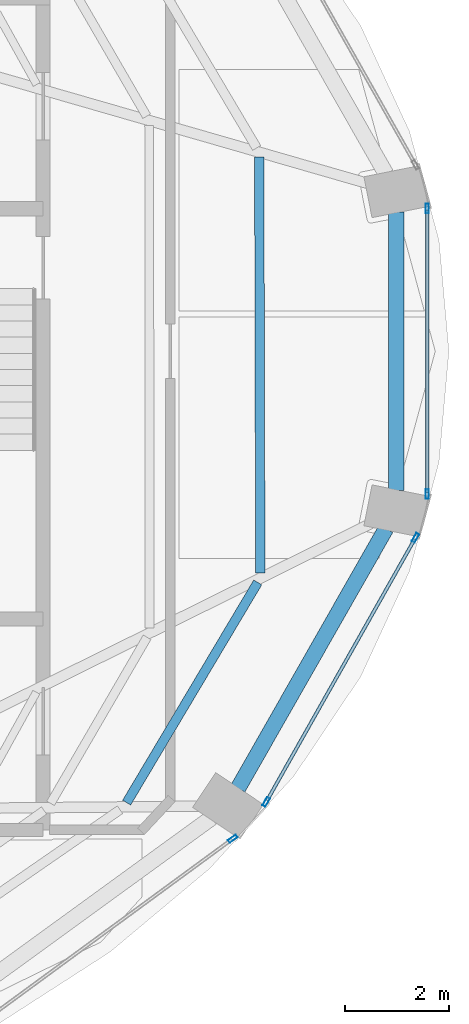
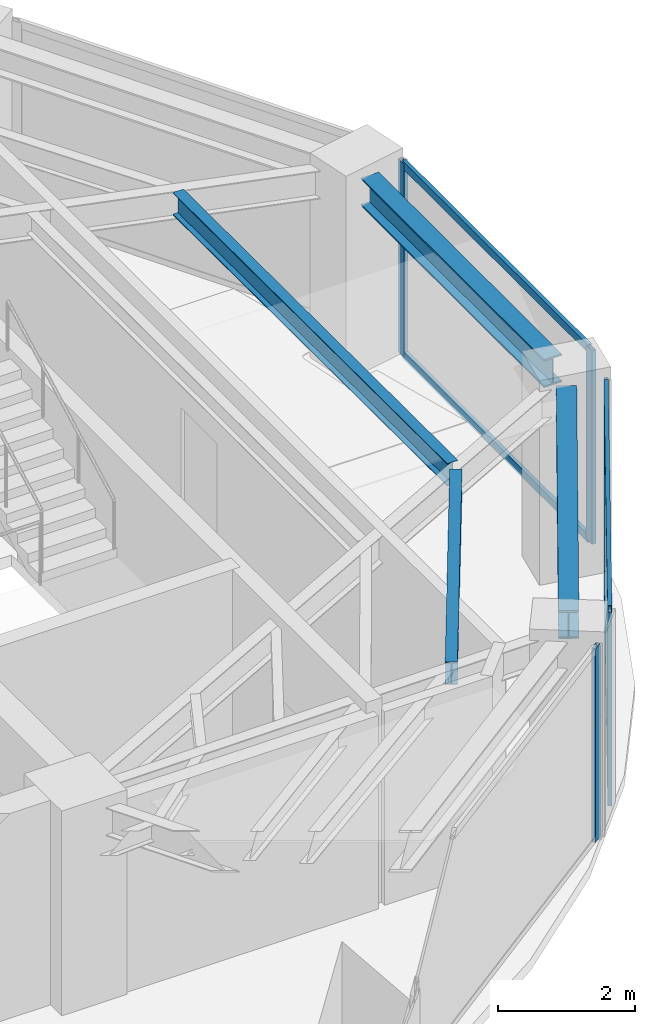
# One storey, part 5 of 13: 9 members, 4 beams, 3 elements without a shape of their own.
"""IFC4 building model written with IfcOpenShell, lengths in metres."""

from ifc_helpers import new_model, si_unit, direction, frame, origin, origin_2d, place, context, subcontext, project, spatial, hollow_rectangle, i_section, extrude, material, layer, layer_set, material_profile, profile_set, type_object, element, aggregate, save


model = new_model("IFC4")

# Units and contexts
model_context = context("Model", 3, precision=1e-05, world=origin(), true_north=direction((0.0, 1.0)))
body_context = subcontext(model_context, "Body", "Model", "MODEL_VIEW")
ifc_project = project(units=[si_unit("LENGTHUNIT", "METRE"), si_unit("AREAUNIT", "SQUARE_METRE"), si_unit("VOLUMEUNIT", "CUBIC_METRE"), si_unit("PLANEANGLEUNIT", "RADIAN"), si_unit("MASSUNIT", "GRAM", prefix="KILO")], contexts=[model_context])

# Site, building, storey
site_placement = place(None, origin())
site = spatial("IfcSite", under=ifc_project, at=site_placement, CompositionType="ELEMENT")
building_placement = place(site_placement, origin())
building = spatial("IfcBuilding", under=site, at=building_placement, Name="Lazwardi Medical Tower", CompositionType="ELEMENT")
storey_placement = place(building_placement, frame((0.0, 0.0, 295.152099609375)))
storey = spatial("IfcBuildingStorey", under=building, at=storey_placement, Name="L77", CompositionType="ELEMENT", Elevation=295.152099609375)

# Beams
ifc_material_1 = material(Name="Steel S355", Category="steel")
ifc_material_profile_1 = material_profile(ifc_material_1, i_section(OverallWidth=0.300048828125, OverallDepth=0.5, WebThickness=0.014404296875, FlangeThickness=0.028076171875, at=origin_2d()), Name="HEB 500")
ifc_profile_set_1 = profile_set([ifc_material_profile_1], Name="Steel S355")
beam_type_1 = type_object("IfcBeamType", Name="BM-RB-Z4", PredefinedType="BEAM", material=ifc_profile_set_1)
beam_1_placement = place(storey_placement, frame((54.15283203125, 20.81640625, 3.197998046875), z_axis=(0.495125273299, 0.868821594886, 0.0), x_axis=(-0.868821594886, 0.495125273299, 0.0)))
element("IfcBeam", 1, at=beam_1_placement, inside=storey, type_object=beam_type_1, Name="Ring beam RB-05 B03 L77", PredefinedType="BEAM", context=body_context, shape_type="SweptSolid", body=[
    extrude(i_section(OverallWidth=0.300048828125, OverallDepth=0.5, WebThickness=0.014404296875, FlangeThickness=0.028076171875, at=origin_2d()), origin(), (0.0, 0.0, 1.0), 5.734130859375),
])
beam_2_placement = place(storey_placement, frame((57.18505859375, 26.527099609375, 3.197998046875), z_axis=(0.0, 1.0, 0.0), x_axis=(-1.0, 0.0, 0.0)))
element("IfcBeam", 2, at=beam_2_placement, inside=storey, type_object=beam_type_1, Name="Ring beam RB-05 B04 L77", PredefinedType="BEAM", context=body_context, shape_type="SweptSolid", body=[
    extrude(i_section(OverallWidth=0.300048828125, OverallDepth=0.5, WebThickness=0.014404296875, FlangeThickness=0.028076171875, at=origin_2d()), origin(), (0.0, 0.0, 1.0), 5.345703125),
])
ifc_material_profile_2 = material_profile(ifc_material_1, i_section(OverallWidth=0.179931640625, OverallDepth=0.39990234375, WebThickness=0.008544921875, FlangeThickness=0.013427734375, at=origin_2d()), Name="IPE 400")
ifc_profile_set_2 = profile_set([ifc_material_profile_2], Name="Steel S355")
beam_type_2 = type_object("IfcBeamType", Name="BM-SJ-01", PredefinedType="JOIST", material=ifc_profile_set_2)
beam_3_placement = place(storey_placement, frame((52.015380859375, 20.54052734375, 3.247802734375), z_axis=(0.511696806688, 0.859166094551, 0.0), x_axis=(-0.859166094551, 0.511696806688, 0.0)))
element("IfcBeam", 3, at=beam_3_placement, inside=storey, type_object=beam_type_2, Name="Secondary joist SJ-01 R1 B03 L77", PredefinedType="JOIST", context=body_context, shape_type="SweptSolid", body=[
    extrude(i_section(OverallWidth=0.179931640625, OverallDepth=0.39990234375, WebThickness=0.008544921875, FlangeThickness=0.013427734375, at=origin_2d()), origin(), (0.0, 0.0, 1.0), 4.917724609375),
])
beam_4_placement = place(storey_placement, frame((54.580078125, 24.942138671875, 3.247802734375), z_axis=(-0.002538606287, 0.999996777734, 0.0), x_axis=(-0.999996777734, -0.002538606287, 0.0)))
element("IfcBeam", 4, at=beam_4_placement, inside=storey, type_object=beam_type_2, Name="Secondary joist SJ-01 R1 B04 L77", PredefinedType="JOIST", context=body_context, shape_type="SweptSolid", body=[
    extrude(i_section(OverallWidth=0.179931640625, OverallDepth=0.39990234375, WebThickness=0.008544921875, FlangeThickness=0.013427734375, at=origin_2d()), origin(), (0.0, 0.0, 1.0), 7.982177734375),
])

# Curtain wall, member
ifc_material_2 = material(Name="Anodised bronze aluminium and solar control glazing", Category="aluminium")
ifc_layer = layer(ifc_material_2, 0.18994140625)
ifc_layer_set = layer_set([ifc_layer], Name="Anodised bronze aluminium and solar control glazing")
curtain_wall_type = type_object("IfcCurtainWallType", Name="CW-SYS-04", PredefinedType="NOTDEFINED", material=ifc_layer_set)
curtain_wall_1_placement = place(storey_placement, origin())
curtain_wall_1 = element("IfcCurtainWall", 5, at=curtain_wall_1_placement, inside=storey, type_object=curtain_wall_type, Name="L77 Unitised bronze curtain wall CW-04", PredefinedType="NOTDEFINED")
ifc_material_3 = material(Name="Anodised bronze aluminium", Category="aluminium")
ifc_material_profile_3 = material_profile(ifc_material_3, hollow_rectangle(XDim=0.06494140625, YDim=0.179931640625, WallThickness=0.00390625, at=origin_2d()), Name="ALU-MULLION 180x65x4")
ifc_profile_set_3 = profile_set([ifc_material_profile_3], Name="Anodised bronze aluminium")
member_type_1 = type_object("IfcMemberType", Name="CW-MUL-03", PredefinedType="MULLION", material=ifc_profile_set_3)
member_1_placement = place(storey_placement, frame((54.052001953125, 19.848388671875, 0.0), z_axis=(0.0, 0.0, 1.0), x_axis=(-0.591268230971, 0.806474971121, 0.0)))
member_1 = element("IfcMember", 6, at=member_1_placement, type_object=member_type_1, Name="CW-04 mullion 2", PredefinedType="MULLION", context=body_context, shape_type="SweptSolid", body=[
    extrude(hollow_rectangle(XDim=0.06494140625, YDim=0.179931640625, WallThickness=0.00390625, at=origin_2d()), origin(), (0.0, 0.0, 1.0), 3.447998046875),
])
aggregate(curtain_wall_1, [member_1])

# Curtain wall, members
curtain_wall_2_placement = place(storey_placement, origin())
curtain_wall_2 = element("IfcCurtainWall", 7, at=curtain_wall_2_placement, inside=storey, type_object=curtain_wall_type, Name="L77 Unitised bronze curtain wall CW-04", PredefinedType="NOTDEFINED")
member_2_placement = place(storey_placement, frame((54.6943359375, 20.554443359375, 0.0), z_axis=(0.0, 0.0, 1.0), x_axis=(-0.870651436011, 0.491900474661, 0.0)))
member_2 = element("IfcMember", 8, at=member_2_placement, type_object=member_type_1, Name="CW-04 mullion 1", PredefinedType="MULLION", context=body_context, shape_type="SweptSolid", body=[
    extrude(hollow_rectangle(XDim=0.06494140625, YDim=0.179931640625, WallThickness=0.00390625, at=origin_2d()), origin(), (0.0, 0.0, 1.0), 3.447998046875),
])
member_3_placement = place(storey_placement, frame((57.557373046875, 25.621826171875, 0.0), z_axis=(0.0, 0.0, 1.0), x_axis=(-0.870651436011, 0.491900474661, 0.0)))
member_3 = element("IfcMember", 9, at=member_3_placement, type_object=member_type_1, Name="CW-04 mullion 2", PredefinedType="MULLION", context=body_context, shape_type="SweptSolid", body=[
    extrude(hollow_rectangle(XDim=0.06494140625, YDim=0.179931640625, WallThickness=0.00390625, at=origin_2d()), origin(), (0.0, 0.0, 1.0), 3.447998046875),
])

curtain_wall_3_placement = place(storey_placement, origin())
curtain_wall_3 = element("IfcCurtainWall", 10, at=curtain_wall_3_placement, inside=storey, type_object=curtain_wall_type, Name="L77 Unitised bronze curtain wall CW-04", PredefinedType="NOTDEFINED")
member_4_placement = place(storey_placement, frame((57.7841796875, 26.45947265625, 0.0), z_axis=(0.0, 0.0, 1.0), x_axis=(-1.0, 0.0, 0.0)))
member_4 = element("IfcMember", 11, at=member_4_placement, type_object=member_type_1, Name="CW-04 mullion 1", PredefinedType="MULLION", context=body_context, shape_type="SweptSolid", body=[
    extrude(hollow_rectangle(XDim=0.06494140625, YDim=0.179931640625, WallThickness=0.00390625, at=origin_2d()), origin(), (0.0, 0.0, 1.0), 3.447998046875),
])
member_5_placement = place(storey_placement, frame((57.7841796875, 31.9404296875, 0.0), z_axis=(0.0, 0.0, 1.0), x_axis=(-1.0, 0.0, 0.0)))
member_5 = element("IfcMember", 12, at=member_5_placement, type_object=member_type_1, Name="CW-04 mullion 2", PredefinedType="MULLION", context=body_context, shape_type="SweptSolid", body=[
    extrude(hollow_rectangle(XDim=0.06494140625, YDim=0.179931640625, WallThickness=0.00390625, at=origin_2d()), origin(), (0.0, 0.0, 1.0), 3.447998046875),
])

# Member
ifc_material_profile_4 = material_profile(ifc_material_3, hollow_rectangle(XDim=0.06494140625, YDim=0.139892578125, WallThickness=0.00341796875, at=origin_2d()), Name="ALU-TRANSOM 140x65x3.5")
ifc_profile_set_4 = profile_set([ifc_material_profile_4], Name="Anodised bronze aluminium")
member_type_2 = type_object("IfcMemberType", Name="CW-TRN-03", PredefinedType="USERDEFINED", material=ifc_profile_set_4)
member_6_placement = place(storey_placement, frame((54.71044921875, 20.582763671875, 0.032470703125), z_axis=(0.491879719484, 0.87066316194, 0.0), x_axis=(-0.87066316194, 0.491879719484, 0.0)))
member_6 = element("IfcMember", 13, at=member_6_placement, type_object=member_type_2, Name="CW-04 transom 1.1", ObjectType="TRANSOM", PredefinedType="USERDEFINED", context=body_context, shape_type="SweptSolid", body=[
    extrude(hollow_rectangle(XDim=0.06494140625, YDim=0.139892578125, WallThickness=0.00341796875, at=origin_2d()), origin(), (0.0, 0.0, 1.0), 5.755126953125),
])

member_7_placement = place(storey_placement, frame((54.71044921875, 20.582763671875, 3.415283203125), z_axis=(0.491879719484, 0.87066316194, 0.0), x_axis=(-0.87066316194, 0.491879719484, 0.0)))
member_7 = element("IfcMember", 14, at=member_7_placement, type_object=member_type_2, Name="CW-04 transom 1.2", ObjectType="TRANSOM", PredefinedType="USERDEFINED", context=body_context, shape_type="SweptSolid", body=[
    extrude(hollow_rectangle(XDim=0.06494140625, YDim=0.139892578125, WallThickness=0.00341796875, at=origin_2d()), origin(), (0.0, 0.0, 1.0), 5.755126953125),
])

aggregate(curtain_wall_2, [member_2, member_3, member_6, member_7])

member_8_placement = place(storey_placement, frame((57.7841796875, 26.491943359375, 0.032470703125), z_axis=(0.0, 1.0, 0.0), x_axis=(-1.0, 0.0, 0.0)))
member_8 = element("IfcMember", 15, at=member_8_placement, type_object=member_type_2, Name="CW-04 transom 1.1", ObjectType="TRANSOM", PredefinedType="USERDEFINED", context=body_context, shape_type="SweptSolid", body=[
    extrude(hollow_rectangle(XDim=0.06494140625, YDim=0.139892578125, WallThickness=0.00341796875, at=origin_2d()), origin(), (0.0, 0.0, 1.0), 5.416015625),
])

member_9_placement = place(storey_placement, frame((57.7841796875, 26.491943359375, 3.415283203125), z_axis=(0.0, 1.0, 0.0), x_axis=(-1.0, 0.0, 0.0)))
member_9 = element("IfcMember", 16, at=member_9_placement, type_object=member_type_2, Name="CW-04 transom 1.2", ObjectType="TRANSOM", PredefinedType="USERDEFINED", context=body_context, shape_type="SweptSolid", body=[
    extrude(hollow_rectangle(XDim=0.06494140625, YDim=0.139892578125, WallThickness=0.00341796875, at=origin_2d()), origin(), (0.0, 0.0, 1.0), 5.416015625),
])

aggregate(curtain_wall_3, [member_4, member_5, member_8, member_9])

save(model, "model.ifc")
